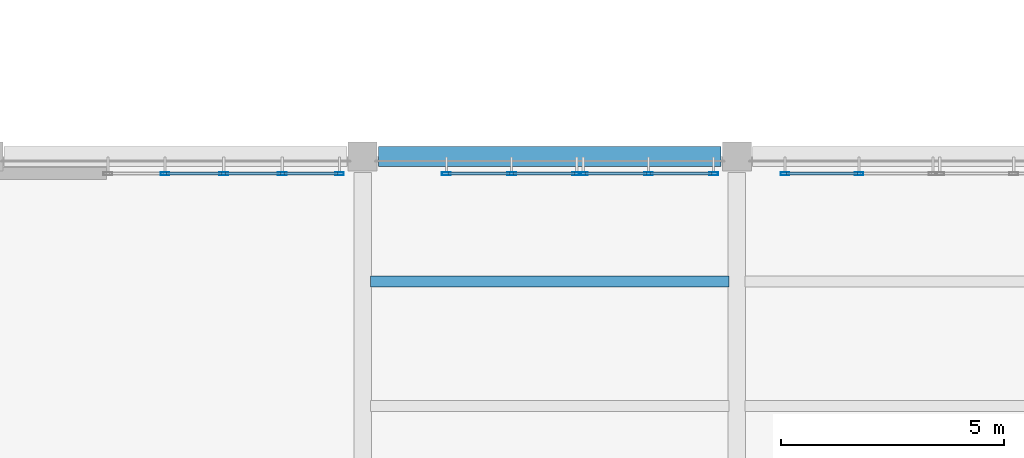
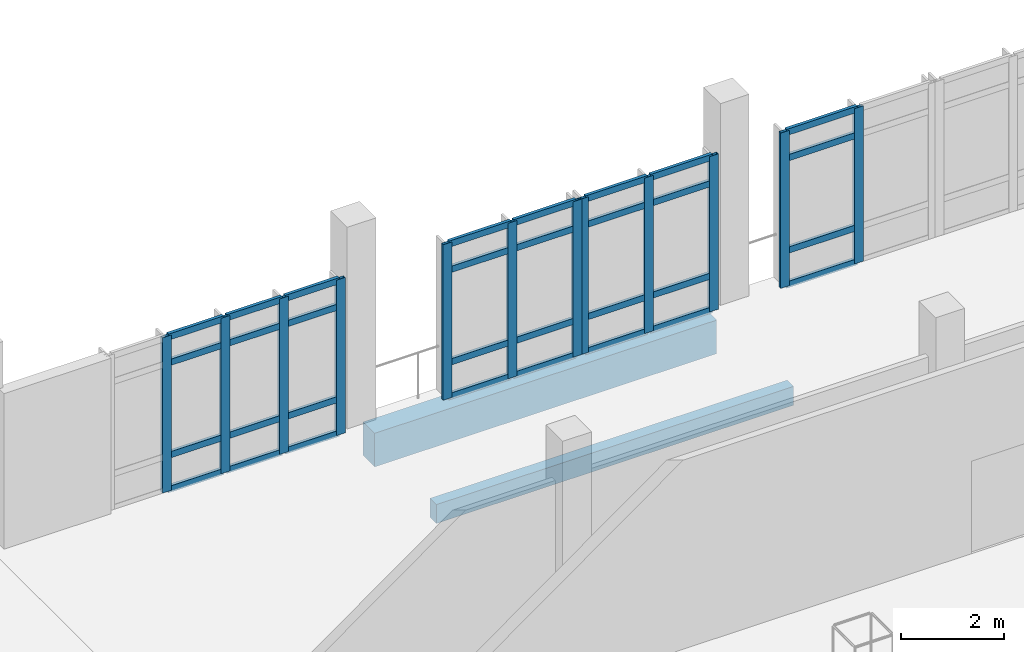
# One storey, part 8 of 63: 44 members, 2 beams, 4 elements without a shape of their own.
"""IFC4 building model written with IfcOpenShell, lengths in metres."""

from ifc_helpers import new_model, si_unit, derived_unit, direction, frame, origin, origin_2d, place, context, subcontext, project, spatial, rectangle, hollow_rectangle, extrude, material, layer, layer_set, material_profile, profile_set, type_object, element, aggregate, save


model = new_model("IFC4")

# Units and contexts
model_context = context("Model", 3, precision=1e-05, world=origin(), true_north=direction((0.0, 1.0)))
body_context = subcontext(model_context, "Body", "Model", "MODEL_VIEW")
ifc_project = project(units=[si_unit("LENGTHUNIT", "METRE"), si_unit("AREAUNIT", "SQUARE_METRE"), si_unit("VOLUMEUNIT", "CUBIC_METRE"), si_unit("PLANEANGLEUNIT", "RADIAN"), si_unit("MASSUNIT", "GRAM", prefix="KILO"), derived_unit("THERMALTRANSMITTANCEUNIT", [(si_unit("POWERUNIT", "WATT"), 1), (si_unit("LENGTHUNIT", "METRE"), -2), (si_unit("THERMODYNAMICTEMPERATUREUNIT", "KELVIN"), -1)])], contexts=[model_context])

# Site, building, storey
site_placement = place(None, origin())
site = spatial("IfcSite", under=ifc_project, at=site_placement, CompositionType="ELEMENT")
building_placement = place(site_placement, origin())
building = spatial("IfcBuilding", under=site, at=building_placement, Name="Elbkamm Science Centre", CompositionType="ELEMENT")
storey_placement = place(building_placement, frame((0.0, 0.0, 5.10009765625)))
storey = spatial("IfcBuildingStorey", under=building, at=storey_placement, Name="L01", CompositionType="ELEMENT", Elevation=5.10009765625)

# Beam
ifc_material_1 = material(Name="Concrete C40/50", Category="concrete")
ifc_material_profile_1 = material_profile(ifc_material_1, rectangle(XDim=0.449951171875, YDim=0.800048828125, at=origin_2d()), Name="RC 450x800")
ifc_profile_set_1 = profile_set([ifc_material_profile_1], Name="Concrete C40/50")
beam_type_1 = type_object("IfcBeamType", Name="BM-RC-450x800", PredefinedType="BEAM", material=ifc_profile_set_1)
beam_1_placement = place(storey_placement, frame((101.14990234375, 58.800048828125, -0.800048828125), z_axis=(1.0, 0.0, 0.0), x_axis=(0.0, 1.0, 0.0)))
element("IfcBeam", 1, at=beam_1_placement, inside=storey, type_object=beam_type_1, Name="L01 Primary X-Girder 061", PredefinedType="BEAM", context=body_context, shape_type="SweptSolid", body=[
    extrude(rectangle(XDim=0.449951171875, YDim=0.800048828125, at=origin_2d()), origin(), (0.0, 0.0, 1.0), 7.7001953125),
])

# Curtain wall, members
ifc_material_2 = material(Name="Powder-coated aluminium and triple low-E glazing", Category="aluminium")
ifc_layer_1 = layer(ifc_material_2, 0.159912109375)
ifc_layer_set_1 = layer_set([ifc_layer_1], Name="Powder-coated aluminium and triple low-E glazing")
curtain_wall_type_1 = type_object("IfcCurtainWallType", Name="CW-UNIT-5260x3700", PredefinedType="USERDEFINED", material=ifc_layer_set_1)
curtain_wall_1_placement = place(storey_placement, origin())
curtain_wall_1 = element("IfcCurtainWall", 2, at=curtain_wall_1_placement, inside=storey, type_object=curtain_wall_type_1, Name="L01 Unitised Curtain Wall 148", ObjectType="UNITISED CURTAIN WALL", PredefinedType="USERDEFINED")
ifc_material_3 = material(Name="Powder-coated aluminium EN AW-6060", Category="aluminium")
ifc_material_profile_2 = material_profile(ifc_material_3, hollow_rectangle(XDim=0.070068359375, YDim=0.199951171875, WallThickness=0.00439453125, at=origin_2d()), Name="ALU M70x200")
ifc_profile_set_2 = profile_set([ifc_material_profile_2], Name="Powder-coated aluminium EN AW-6060")
member_type_1 = type_object("IfcMemberType", Name="CW-MUL-70x200", PredefinedType="MULLION", material=ifc_profile_set_2)
member_1_placement = place(storey_placement, frame((96.361572265625, 58.419921875, 0.0), z_axis=(0.0, 0.0, 1.0), x_axis=(0.0, 1.0, 0.0)))
member_1 = element("IfcMember", 3, at=member_1_placement, type_object=member_type_1, Name="CW-070 mullion 2", PredefinedType="MULLION", context=body_context, shape_type="SweptSolid", body=[
    extrude(hollow_rectangle(XDim=0.070068359375, YDim=0.199951171875, WallThickness=0.00439453125, at=origin_2d()), origin(), (0.0, 0.0, 1.0), 3.699951171875),
])
member_2_placement = place(storey_placement, frame((97.678955078125, 58.419921875, 0.0), z_axis=(0.0, 0.0, 1.0), x_axis=(0.0, 1.0, 0.0)))
member_2 = element("IfcMember", 4, at=member_2_placement, type_object=member_type_1, Name="CW-070 mullion 3", PredefinedType="MULLION", context=body_context, shape_type="SweptSolid", body=[
    extrude(hollow_rectangle(XDim=0.070068359375, YDim=0.199951171875, WallThickness=0.00439453125, at=origin_2d()), origin(), (0.0, 0.0, 1.0), 3.699951171875),
])
member_3_placement = place(storey_placement, frame((98.996337890625, 58.419921875, 0.0), z_axis=(0.0, 0.0, 1.0), x_axis=(0.0, 1.0, 0.0)))
member_3 = element("IfcMember", 5, at=member_3_placement, type_object=member_type_1, Name="CW-070 mullion 4", PredefinedType="MULLION", context=body_context, shape_type="SweptSolid", body=[
    extrude(hollow_rectangle(XDim=0.070068359375, YDim=0.199951171875, WallThickness=0.00439453125, at=origin_2d()), origin(), (0.0, 0.0, 1.0), 3.699951171875),
])
member_4_placement = place(storey_placement, frame((100.27880859375, 58.419921875, 0.0), z_axis=(0.0, 0.0, 1.0), x_axis=(0.0, 1.0, 0.0)))
member_4 = element("IfcMember", 6, at=member_4_placement, type_object=member_type_1, Name="CW-070 mullion 5", PredefinedType="MULLION", context=body_context, shape_type="SweptSolid", body=[
    extrude(hollow_rectangle(XDim=0.070068359375, YDim=0.199951171875, WallThickness=0.00439453125, at=origin_2d()), origin(), (0.0, 0.0, 1.0), 3.699951171875),
])

ifc_layer_2 = layer(ifc_material_2, 0.159912109375)
ifc_layer_set_2 = layer_set([ifc_layer_2], Name="Powder-coated aluminium and triple low-E glazing")
curtain_wall_type_2 = type_object("IfcCurtainWallType", Name="CW-UNIT-3000x3700", PredefinedType="USERDEFINED", material=ifc_layer_set_2)
curtain_wall_2_placement = place(storey_placement, origin())
curtain_wall_2 = element("IfcCurtainWall", 7, at=curtain_wall_2_placement, inside=storey, type_object=curtain_wall_type_2, Name="L01 Unitised Curtain Wall 149", ObjectType="UNITISED CURTAIN WALL", PredefinedType="USERDEFINED")
member_5_placement = place(storey_placement, frame((102.680419921875, 58.419921875, 0.0), z_axis=(0.0, 0.0, 1.0), x_axis=(0.0, 1.0, 0.0)))
member_5 = element("IfcMember", 8, at=member_5_placement, type_object=member_type_1, Name="CW-071 mullion 1", PredefinedType="MULLION", context=body_context, shape_type="SweptSolid", body=[
    extrude(hollow_rectangle(XDim=0.070068359375, YDim=0.199951171875, WallThickness=0.00439453125, at=origin_2d()), origin(), (0.0, 0.0, 1.0), 3.699951171875),
])
member_6_placement = place(storey_placement, frame((104.142578125, 58.419921875, 0.0), z_axis=(0.0, 0.0, 1.0), x_axis=(0.0, 1.0, 0.0)))
member_6 = element("IfcMember", 9, at=member_6_placement, type_object=member_type_1, Name="CW-071 mullion 2", PredefinedType="MULLION", context=body_context, shape_type="SweptSolid", body=[
    extrude(hollow_rectangle(XDim=0.070068359375, YDim=0.199951171875, WallThickness=0.00439453125, at=origin_2d()), origin(), (0.0, 0.0, 1.0), 3.699951171875),
])
member_7_placement = place(storey_placement, frame((105.6044921875, 58.419921875, 0.0), z_axis=(0.0, 0.0, 1.0), x_axis=(0.0, 1.0, 0.0)))
member_7 = element("IfcMember", 10, at=member_7_placement, type_object=member_type_1, Name="CW-071 mullion 3", PredefinedType="MULLION", context=body_context, shape_type="SweptSolid", body=[
    extrude(hollow_rectangle(XDim=0.070068359375, YDim=0.199951171875, WallThickness=0.00439453125, at=origin_2d()), origin(), (0.0, 0.0, 1.0), 3.699951171875),
])

curtain_wall_3_placement = place(storey_placement, origin())
curtain_wall_3 = element("IfcCurtainWall", 11, at=curtain_wall_3_placement, inside=storey, type_object=curtain_wall_type_2, Name="L01 Unitised Curtain Wall 150", ObjectType="UNITISED CURTAIN WALL", PredefinedType="USERDEFINED")
member_8_placement = place(storey_placement, frame((105.754638671875, 58.419921875, 0.0), z_axis=(0.0, 0.0, 1.0), x_axis=(0.0, 1.0, 0.0)))
member_8 = element("IfcMember", 12, at=member_8_placement, type_object=member_type_1, Name="CW-071 mullion 1", PredefinedType="MULLION", context=body_context, shape_type="SweptSolid", body=[
    extrude(hollow_rectangle(XDim=0.070068359375, YDim=0.199951171875, WallThickness=0.00439453125, at=origin_2d()), origin(), (0.0, 0.0, 1.0), 3.699951171875),
])
member_9_placement = place(storey_placement, frame((107.216552734375, 58.419921875, 0.0), z_axis=(0.0, 0.0, 1.0), x_axis=(0.0, 1.0, 0.0)))
member_9 = element("IfcMember", 13, at=member_9_placement, type_object=member_type_1, Name="CW-071 mullion 2", PredefinedType="MULLION", context=body_context, shape_type="SweptSolid", body=[
    extrude(hollow_rectangle(XDim=0.070068359375, YDim=0.199951171875, WallThickness=0.00439453125, at=origin_2d()), origin(), (0.0, 0.0, 1.0), 3.699951171875),
])
member_10_placement = place(storey_placement, frame((108.6787109375, 58.419921875, 0.0), z_axis=(0.0, 0.0, 1.0), x_axis=(0.0, 1.0, 0.0)))
member_10 = element("IfcMember", 14, at=member_10_placement, type_object=member_type_1, Name="CW-071 mullion 3", PredefinedType="MULLION", context=body_context, shape_type="SweptSolid", body=[
    extrude(hollow_rectangle(XDim=0.070068359375, YDim=0.199951171875, WallThickness=0.00439453125, at=origin_2d()), origin(), (0.0, 0.0, 1.0), 3.699951171875),
])

ifc_layer_3 = layer(ifc_material_2, 0.159912109375)
ifc_layer_set_3 = layer_set([ifc_layer_3], Name="Powder-coated aluminium and triple low-E glazing")
curtain_wall_type_3 = type_object("IfcCurtainWallType", Name="CW-UNIT-3400x3700", PredefinedType="USERDEFINED", material=ifc_layer_set_3)
curtain_wall_4_placement = place(storey_placement, origin())
curtain_wall_4 = element("IfcCurtainWall", 15, at=curtain_wall_4_placement, inside=storey, type_object=curtain_wall_type_3, Name="L01 Unitised Curtain Wall 151", ObjectType="UNITISED CURTAIN WALL", PredefinedType="USERDEFINED")
member_11_placement = place(storey_placement, frame((110.281982421875, 58.419921875, 0.0), z_axis=(0.0, 0.0, 1.0), x_axis=(0.0, 1.0, 0.0)))
member_11 = element("IfcMember", 16, at=member_11_placement, type_object=member_type_1, Name="CW-072 mullion 1", PredefinedType="MULLION", context=body_context, shape_type="SweptSolid", body=[
    extrude(hollow_rectangle(XDim=0.070068359375, YDim=0.199951171875, WallThickness=0.00439453125, at=origin_2d()), origin(), (0.0, 0.0, 1.0), 3.699951171875),
])
member_12_placement = place(storey_placement, frame((111.943603515625, 58.419921875, 0.0), z_axis=(0.0, 0.0, 1.0), x_axis=(0.0, 1.0, 0.0)))
member_12 = element("IfcMember", 17, at=member_12_placement, type_object=member_type_1, Name="CW-072 mullion 2", PredefinedType="MULLION", context=body_context, shape_type="SweptSolid", body=[
    extrude(hollow_rectangle(XDim=0.070068359375, YDim=0.199951171875, WallThickness=0.00439453125, at=origin_2d()), origin(), (0.0, 0.0, 1.0), 3.699951171875),
])

# Member
ifc_material_profile_3 = material_profile(ifc_material_3, hollow_rectangle(XDim=0.070068359375, YDim=0.14990234375, WallThickness=0.00390625, at=origin_2d()), Name="ALU T70x150")
ifc_profile_set_3 = profile_set([ifc_material_profile_3], Name="Powder-coated aluminium EN AW-6060")
member_type_2 = type_object("IfcMemberType", Name="CW-TRN-70x150", PredefinedType="USERDEFINED", material=ifc_profile_set_3)
member_13_placement = place(storey_placement, frame((96.396484375, 58.419921875, 0.034912109375), z_axis=(1.0, 0.0, 0.0), x_axis=(0.0, 1.0, 0.0)))
member_13 = element("IfcMember", 18, at=member_13_placement, type_object=member_type_2, Name="CW-070 transom 2.1", ObjectType="TRANSOM", PredefinedType="USERDEFINED", context=body_context, shape_type="SweptSolid", body=[
    extrude(hollow_rectangle(XDim=0.070068359375, YDim=0.14990234375, WallThickness=0.00390625, at=origin_2d()), origin(), (0.0, 0.0, 1.0), 1.247314453125),
])

member_14_placement = place(storey_placement, frame((96.396484375, 58.419921875, 0.849853515625), z_axis=(1.0, 0.0, 0.0), x_axis=(0.0, 1.0, 0.0)))
member_14 = element("IfcMember", 19, at=member_14_placement, type_object=member_type_2, Name="CW-070 transom 2.2", ObjectType="TRANSOM", PredefinedType="USERDEFINED", context=body_context, shape_type="SweptSolid", body=[
    extrude(hollow_rectangle(XDim=0.070068359375, YDim=0.14990234375, WallThickness=0.00390625, at=origin_2d()), origin(), (0.0, 0.0, 1.0), 1.247314453125),
])

member_15_placement = place(storey_placement, frame((96.396484375, 58.419921875, 3.0498046875), z_axis=(1.0, 0.0, 0.0), x_axis=(0.0, 1.0, 0.0)))
member_15 = element("IfcMember", 20, at=member_15_placement, type_object=member_type_2, Name="CW-070 transom 2.3", ObjectType="TRANSOM", PredefinedType="USERDEFINED", context=body_context, shape_type="SweptSolid", body=[
    extrude(hollow_rectangle(XDim=0.070068359375, YDim=0.14990234375, WallThickness=0.00390625, at=origin_2d()), origin(), (0.0, 0.0, 1.0), 1.247314453125),
])

member_16_placement = place(storey_placement, frame((96.396484375, 58.419921875, 3.664794921875), z_axis=(1.0, 0.0, 0.0), x_axis=(0.0, 1.0, 0.0)))
member_16 = element("IfcMember", 21, at=member_16_placement, type_object=member_type_2, Name="CW-070 transom 2.4", ObjectType="TRANSOM", PredefinedType="USERDEFINED", context=body_context, shape_type="SweptSolid", body=[
    extrude(hollow_rectangle(XDim=0.070068359375, YDim=0.14990234375, WallThickness=0.00390625, at=origin_2d()), origin(), (0.0, 0.0, 1.0), 1.247314453125),
])

member_17_placement = place(storey_placement, frame((97.7138671875, 58.419921875, 0.034912109375), z_axis=(1.0, 0.0, 0.0), x_axis=(0.0, 1.0, 0.0)))
member_17 = element("IfcMember", 22, at=member_17_placement, type_object=member_type_2, Name="CW-070 transom 3.1", ObjectType="TRANSOM", PredefinedType="USERDEFINED", context=body_context, shape_type="SweptSolid", body=[
    extrude(hollow_rectangle(XDim=0.070068359375, YDim=0.14990234375, WallThickness=0.00390625, at=origin_2d()), origin(), (0.0, 0.0, 1.0), 1.247314453125),
])

member_18_placement = place(storey_placement, frame((97.7138671875, 58.419921875, 0.849853515625), z_axis=(1.0, 0.0, 0.0), x_axis=(0.0, 1.0, 0.0)))
member_18 = element("IfcMember", 23, at=member_18_placement, type_object=member_type_2, Name="CW-070 transom 3.2", ObjectType="TRANSOM", PredefinedType="USERDEFINED", context=body_context, shape_type="SweptSolid", body=[
    extrude(hollow_rectangle(XDim=0.070068359375, YDim=0.14990234375, WallThickness=0.00390625, at=origin_2d()), origin(), (0.0, 0.0, 1.0), 1.247314453125),
])

member_19_placement = place(storey_placement, frame((97.7138671875, 58.419921875, 3.0498046875), z_axis=(1.0, 0.0, 0.0), x_axis=(0.0, 1.0, 0.0)))
member_19 = element("IfcMember", 24, at=member_19_placement, type_object=member_type_2, Name="CW-070 transom 3.3", ObjectType="TRANSOM", PredefinedType="USERDEFINED", context=body_context, shape_type="SweptSolid", body=[
    extrude(hollow_rectangle(XDim=0.070068359375, YDim=0.14990234375, WallThickness=0.00390625, at=origin_2d()), origin(), (0.0, 0.0, 1.0), 1.247314453125),
])

member_20_placement = place(storey_placement, frame((97.7138671875, 58.419921875, 3.664794921875), z_axis=(1.0, 0.0, 0.0), x_axis=(0.0, 1.0, 0.0)))
member_20 = element("IfcMember", 25, at=member_20_placement, type_object=member_type_2, Name="CW-070 transom 3.4", ObjectType="TRANSOM", PredefinedType="USERDEFINED", context=body_context, shape_type="SweptSolid", body=[
    extrude(hollow_rectangle(XDim=0.070068359375, YDim=0.14990234375, WallThickness=0.00390625, at=origin_2d()), origin(), (0.0, 0.0, 1.0), 1.247314453125),
])

member_21_placement = place(storey_placement, frame((99.03125, 58.419921875, 0.034912109375), z_axis=(1.0, 0.0, 0.0), x_axis=(0.0, 1.0, 0.0)))
member_21 = element("IfcMember", 26, at=member_21_placement, type_object=member_type_2, Name="CW-070 transom 4.1", ObjectType="TRANSOM", PredefinedType="USERDEFINED", context=body_context, shape_type="SweptSolid", body=[
    extrude(hollow_rectangle(XDim=0.070068359375, YDim=0.14990234375, WallThickness=0.00390625, at=origin_2d()), origin(), (0.0, 0.0, 1.0), 1.21240234375),
])

member_22_placement = place(storey_placement, frame((99.03125, 58.419921875, 0.849853515625), z_axis=(1.0, 0.0, 0.0), x_axis=(0.0, 1.0, 0.0)))
member_22 = element("IfcMember", 27, at=member_22_placement, type_object=member_type_2, Name="CW-070 transom 4.2", ObjectType="TRANSOM", PredefinedType="USERDEFINED", context=body_context, shape_type="SweptSolid", body=[
    extrude(hollow_rectangle(XDim=0.070068359375, YDim=0.14990234375, WallThickness=0.00390625, at=origin_2d()), origin(), (0.0, 0.0, 1.0), 1.21240234375),
])

member_23_placement = place(storey_placement, frame((99.03125, 58.419921875, 3.0498046875), z_axis=(1.0, 0.0, 0.0), x_axis=(0.0, 1.0, 0.0)))
member_23 = element("IfcMember", 28, at=member_23_placement, type_object=member_type_2, Name="CW-070 transom 4.3", ObjectType="TRANSOM", PredefinedType="USERDEFINED", context=body_context, shape_type="SweptSolid", body=[
    extrude(hollow_rectangle(XDim=0.070068359375, YDim=0.14990234375, WallThickness=0.00390625, at=origin_2d()), origin(), (0.0, 0.0, 1.0), 1.21240234375),
])

member_24_placement = place(storey_placement, frame((99.03125, 58.419921875, 3.664794921875), z_axis=(1.0, 0.0, 0.0), x_axis=(0.0, 1.0, 0.0)))
member_24 = element("IfcMember", 29, at=member_24_placement, type_object=member_type_2, Name="CW-070 transom 4.4", ObjectType="TRANSOM", PredefinedType="USERDEFINED", context=body_context, shape_type="SweptSolid", body=[
    extrude(hollow_rectangle(XDim=0.070068359375, YDim=0.14990234375, WallThickness=0.00390625, at=origin_2d()), origin(), (0.0, 0.0, 1.0), 1.21240234375),
])

aggregate(curtain_wall_1, [member_1, member_2, member_3, member_4, member_13, member_14, member_15, member_16, member_17, member_18, member_19, member_20, member_21, member_22, member_23, member_24])

member_25_placement = place(storey_placement, frame((102.715576171875, 58.419921875, 0.034912109375), z_axis=(1.0, 0.0, 0.0), x_axis=(0.0, 1.0, 0.0)))
member_25 = element("IfcMember", 30, at=member_25_placement, type_object=member_type_2, Name="CW-071 transom 1.1", ObjectType="TRANSOM", PredefinedType="USERDEFINED", context=body_context, shape_type="SweptSolid", body=[
    extrude(hollow_rectangle(XDim=0.070068359375, YDim=0.14990234375, WallThickness=0.00390625, at=origin_2d()), origin(), (0.0, 0.0, 1.0), 1.39208984375),
])

member_26_placement = place(storey_placement, frame((102.715576171875, 58.419921875, 0.849853515625), z_axis=(1.0, 0.0, 0.0), x_axis=(0.0, 1.0, 0.0)))
member_26 = element("IfcMember", 31, at=member_26_placement, type_object=member_type_2, Name="CW-071 transom 1.2", ObjectType="TRANSOM", PredefinedType="USERDEFINED", context=body_context, shape_type="SweptSolid", body=[
    extrude(hollow_rectangle(XDim=0.070068359375, YDim=0.14990234375, WallThickness=0.00390625, at=origin_2d()), origin(), (0.0, 0.0, 1.0), 1.39208984375),
])

member_27_placement = place(storey_placement, frame((102.715576171875, 58.419921875, 3.0498046875), z_axis=(1.0, 0.0, 0.0), x_axis=(0.0, 1.0, 0.0)))
member_27 = element("IfcMember", 32, at=member_27_placement, type_object=member_type_2, Name="CW-071 transom 1.3", ObjectType="TRANSOM", PredefinedType="USERDEFINED", context=body_context, shape_type="SweptSolid", body=[
    extrude(hollow_rectangle(XDim=0.070068359375, YDim=0.14990234375, WallThickness=0.00390625, at=origin_2d()), origin(), (0.0, 0.0, 1.0), 1.39208984375),
])

member_28_placement = place(storey_placement, frame((102.715576171875, 58.419921875, 3.664794921875), z_axis=(1.0, 0.0, 0.0), x_axis=(0.0, 1.0, 0.0)))
member_28 = element("IfcMember", 33, at=member_28_placement, type_object=member_type_2, Name="CW-071 transom 1.4", ObjectType="TRANSOM", PredefinedType="USERDEFINED", context=body_context, shape_type="SweptSolid", body=[
    extrude(hollow_rectangle(XDim=0.070068359375, YDim=0.14990234375, WallThickness=0.00390625, at=origin_2d()), origin(), (0.0, 0.0, 1.0), 1.39208984375),
])

member_29_placement = place(storey_placement, frame((104.177490234375, 58.419921875, 0.034912109375), z_axis=(1.0, 0.0, 0.0), x_axis=(0.0, 1.0, 0.0)))
member_29 = element("IfcMember", 34, at=member_29_placement, type_object=member_type_2, Name="CW-071 transom 2.1", ObjectType="TRANSOM", PredefinedType="USERDEFINED", context=body_context, shape_type="SweptSolid", body=[
    extrude(hollow_rectangle(XDim=0.070068359375, YDim=0.14990234375, WallThickness=0.00390625, at=origin_2d()), origin(), (0.0, 0.0, 1.0), 1.39208984375),
])

member_30_placement = place(storey_placement, frame((104.177490234375, 58.419921875, 0.849853515625), z_axis=(1.0, 0.0, 0.0), x_axis=(0.0, 1.0, 0.0)))
member_30 = element("IfcMember", 35, at=member_30_placement, type_object=member_type_2, Name="CW-071 transom 2.2", ObjectType="TRANSOM", PredefinedType="USERDEFINED", context=body_context, shape_type="SweptSolid", body=[
    extrude(hollow_rectangle(XDim=0.070068359375, YDim=0.14990234375, WallThickness=0.00390625, at=origin_2d()), origin(), (0.0, 0.0, 1.0), 1.39208984375),
])

member_31_placement = place(storey_placement, frame((104.177490234375, 58.419921875, 3.0498046875), z_axis=(1.0, 0.0, 0.0), x_axis=(0.0, 1.0, 0.0)))
member_31 = element("IfcMember", 36, at=member_31_placement, type_object=member_type_2, Name="CW-071 transom 2.3", ObjectType="TRANSOM", PredefinedType="USERDEFINED", context=body_context, shape_type="SweptSolid", body=[
    extrude(hollow_rectangle(XDim=0.070068359375, YDim=0.14990234375, WallThickness=0.00390625, at=origin_2d()), origin(), (0.0, 0.0, 1.0), 1.39208984375),
])

member_32_placement = place(storey_placement, frame((104.177490234375, 58.419921875, 3.664794921875), z_axis=(1.0, 0.0, 0.0), x_axis=(0.0, 1.0, 0.0)))
member_32 = element("IfcMember", 37, at=member_32_placement, type_object=member_type_2, Name="CW-071 transom 2.4", ObjectType="TRANSOM", PredefinedType="USERDEFINED", context=body_context, shape_type="SweptSolid", body=[
    extrude(hollow_rectangle(XDim=0.070068359375, YDim=0.14990234375, WallThickness=0.00390625, at=origin_2d()), origin(), (0.0, 0.0, 1.0), 1.39208984375),
])

aggregate(curtain_wall_2, [member_5, member_6, member_7, member_25, member_26, member_27, member_28, member_29, member_30, member_31, member_32])

member_33_placement = place(storey_placement, frame((105.78955078125, 58.419921875, 0.034912109375), z_axis=(1.0, 0.0, 0.0), x_axis=(0.0, 1.0, 0.0)))
member_33 = element("IfcMember", 38, at=member_33_placement, type_object=member_type_2, Name="CW-071 transom 1.1", ObjectType="TRANSOM", PredefinedType="USERDEFINED", context=body_context, shape_type="SweptSolid", body=[
    extrude(hollow_rectangle(XDim=0.070068359375, YDim=0.14990234375, WallThickness=0.00390625, at=origin_2d()), origin(), (0.0, 0.0, 1.0), 1.39208984375),
])

member_34_placement = place(storey_placement, frame((105.78955078125, 58.419921875, 0.849853515625), z_axis=(1.0, 0.0, 0.0), x_axis=(0.0, 1.0, 0.0)))
member_34 = element("IfcMember", 39, at=member_34_placement, type_object=member_type_2, Name="CW-071 transom 1.2", ObjectType="TRANSOM", PredefinedType="USERDEFINED", context=body_context, shape_type="SweptSolid", body=[
    extrude(hollow_rectangle(XDim=0.070068359375, YDim=0.14990234375, WallThickness=0.00390625, at=origin_2d()), origin(), (0.0, 0.0, 1.0), 1.39208984375),
])

member_35_placement = place(storey_placement, frame((105.78955078125, 58.419921875, 3.0498046875), z_axis=(1.0, 0.0, 0.0), x_axis=(0.0, 1.0, 0.0)))
member_35 = element("IfcMember", 40, at=member_35_placement, type_object=member_type_2, Name="CW-071 transom 1.3", ObjectType="TRANSOM", PredefinedType="USERDEFINED", context=body_context, shape_type="SweptSolid", body=[
    extrude(hollow_rectangle(XDim=0.070068359375, YDim=0.14990234375, WallThickness=0.00390625, at=origin_2d()), origin(), (0.0, 0.0, 1.0), 1.39208984375),
])

member_36_placement = place(storey_placement, frame((105.78955078125, 58.419921875, 3.664794921875), z_axis=(1.0, 0.0, 0.0), x_axis=(0.0, 1.0, 0.0)))
member_36 = element("IfcMember", 41, at=member_36_placement, type_object=member_type_2, Name="CW-071 transom 1.4", ObjectType="TRANSOM", PredefinedType="USERDEFINED", context=body_context, shape_type="SweptSolid", body=[
    extrude(hollow_rectangle(XDim=0.070068359375, YDim=0.14990234375, WallThickness=0.00390625, at=origin_2d()), origin(), (0.0, 0.0, 1.0), 1.39208984375),
])

member_37_placement = place(storey_placement, frame((107.251708984375, 58.419921875, 0.034912109375), z_axis=(1.0, 0.0, 0.0), x_axis=(0.0, 1.0, 0.0)))
member_37 = element("IfcMember", 42, at=member_37_placement, type_object=member_type_2, Name="CW-071 transom 2.1", ObjectType="TRANSOM", PredefinedType="USERDEFINED", context=body_context, shape_type="SweptSolid", body=[
    extrude(hollow_rectangle(XDim=0.070068359375, YDim=0.14990234375, WallThickness=0.00390625, at=origin_2d()), origin(), (0.0, 0.0, 1.0), 1.39208984375),
])

member_38_placement = place(storey_placement, frame((107.251708984375, 58.419921875, 0.849853515625), z_axis=(1.0, 0.0, 0.0), x_axis=(0.0, 1.0, 0.0)))
member_38 = element("IfcMember", 43, at=member_38_placement, type_object=member_type_2, Name="CW-071 transom 2.2", ObjectType="TRANSOM", PredefinedType="USERDEFINED", context=body_context, shape_type="SweptSolid", body=[
    extrude(hollow_rectangle(XDim=0.070068359375, YDim=0.14990234375, WallThickness=0.00390625, at=origin_2d()), origin(), (0.0, 0.0, 1.0), 1.39208984375),
])

member_39_placement = place(storey_placement, frame((107.251708984375, 58.419921875, 3.0498046875), z_axis=(1.0, 0.0, 0.0), x_axis=(0.0, 1.0, 0.0)))
member_39 = element("IfcMember", 44, at=member_39_placement, type_object=member_type_2, Name="CW-071 transom 2.3", ObjectType="TRANSOM", PredefinedType="USERDEFINED", context=body_context, shape_type="SweptSolid", body=[
    extrude(hollow_rectangle(XDim=0.070068359375, YDim=0.14990234375, WallThickness=0.00390625, at=origin_2d()), origin(), (0.0, 0.0, 1.0), 1.39208984375),
])

member_40_placement = place(storey_placement, frame((107.251708984375, 58.419921875, 3.664794921875), z_axis=(1.0, 0.0, 0.0), x_axis=(0.0, 1.0, 0.0)))
member_40 = element("IfcMember", 45, at=member_40_placement, type_object=member_type_2, Name="CW-071 transom 2.4", ObjectType="TRANSOM", PredefinedType="USERDEFINED", context=body_context, shape_type="SweptSolid", body=[
    extrude(hollow_rectangle(XDim=0.070068359375, YDim=0.14990234375, WallThickness=0.00390625, at=origin_2d()), origin(), (0.0, 0.0, 1.0), 1.39208984375),
])

aggregate(curtain_wall_3, [member_8, member_9, member_10, member_33, member_34, member_35, member_36, member_37, member_38, member_39, member_40])

member_41_placement = place(storey_placement, frame((110.31689453125, 58.419921875, 0.034912109375), z_axis=(1.0, 0.0, 0.0), x_axis=(0.0, 1.0, 0.0)))
member_41 = element("IfcMember", 46, at=member_41_placement, type_object=member_type_2, Name="CW-072 transom 1.1", ObjectType="TRANSOM", PredefinedType="USERDEFINED", context=body_context, shape_type="SweptSolid", body=[
    extrude(hollow_rectangle(XDim=0.070068359375, YDim=0.14990234375, WallThickness=0.00390625, at=origin_2d()), origin(), (0.0, 0.0, 1.0), 1.591796875),
])

member_42_placement = place(storey_placement, frame((110.31689453125, 58.419921875, 0.849853515625), z_axis=(1.0, 0.0, 0.0), x_axis=(0.0, 1.0, 0.0)))
member_42 = element("IfcMember", 47, at=member_42_placement, type_object=member_type_2, Name="CW-072 transom 1.2", ObjectType="TRANSOM", PredefinedType="USERDEFINED", context=body_context, shape_type="SweptSolid", body=[
    extrude(hollow_rectangle(XDim=0.070068359375, YDim=0.14990234375, WallThickness=0.00390625, at=origin_2d()), origin(), (0.0, 0.0, 1.0), 1.591796875),
])

member_43_placement = place(storey_placement, frame((110.31689453125, 58.419921875, 3.0498046875), z_axis=(1.0, 0.0, 0.0), x_axis=(0.0, 1.0, 0.0)))
member_43 = element("IfcMember", 48, at=member_43_placement, type_object=member_type_2, Name="CW-072 transom 1.3", ObjectType="TRANSOM", PredefinedType="USERDEFINED", context=body_context, shape_type="SweptSolid", body=[
    extrude(hollow_rectangle(XDim=0.070068359375, YDim=0.14990234375, WallThickness=0.00390625, at=origin_2d()), origin(), (0.0, 0.0, 1.0), 1.591796875),
])

member_44_placement = place(storey_placement, frame((110.31689453125, 58.419921875, 3.664794921875), z_axis=(1.0, 0.0, 0.0), x_axis=(0.0, 1.0, 0.0)))
member_44 = element("IfcMember", 49, at=member_44_placement, type_object=member_type_2, Name="CW-072 transom 1.4", ObjectType="TRANSOM", PredefinedType="USERDEFINED", context=body_context, shape_type="SweptSolid", body=[
    extrude(hollow_rectangle(XDim=0.070068359375, YDim=0.14990234375, WallThickness=0.00390625, at=origin_2d()), origin(), (0.0, 0.0, 1.0), 1.591796875),
])

aggregate(curtain_wall_4, [member_11, member_12, member_41, member_42, member_43, member_44])

# Beam
ifc_material_profile_4 = material_profile(ifc_material_1, rectangle(XDim=0.25, YDim=0.449951171875, at=origin_2d()), Name="RC 250x450")
ifc_profile_set_4 = profile_set([ifc_material_profile_4], Name="Concrete C40/50")
beam_type_2 = type_object("IfcBeamType", Name="JST-RC-250x450", PredefinedType="JOIST", material=ifc_profile_set_4)
beam_2_placement = place(storey_placement, frame((100.97998046875, 56.0, -0.625), z_axis=(1.0, 0.0, 0.0), x_axis=(0.0, 1.0, 0.0)))
element("IfcBeam", 50, at=beam_2_placement, inside=storey, type_object=beam_type_2, Name="L01 Secondary Floor Joist 044", PredefinedType="JOIST", context=body_context, shape_type="SweptSolid", body=[
    extrude(rectangle(XDim=0.25, YDim=0.449951171875, at=origin_2d()), origin(), (0.0, 0.0, 1.0), 8.0400390625),
])

save(model, "model.ifc")
